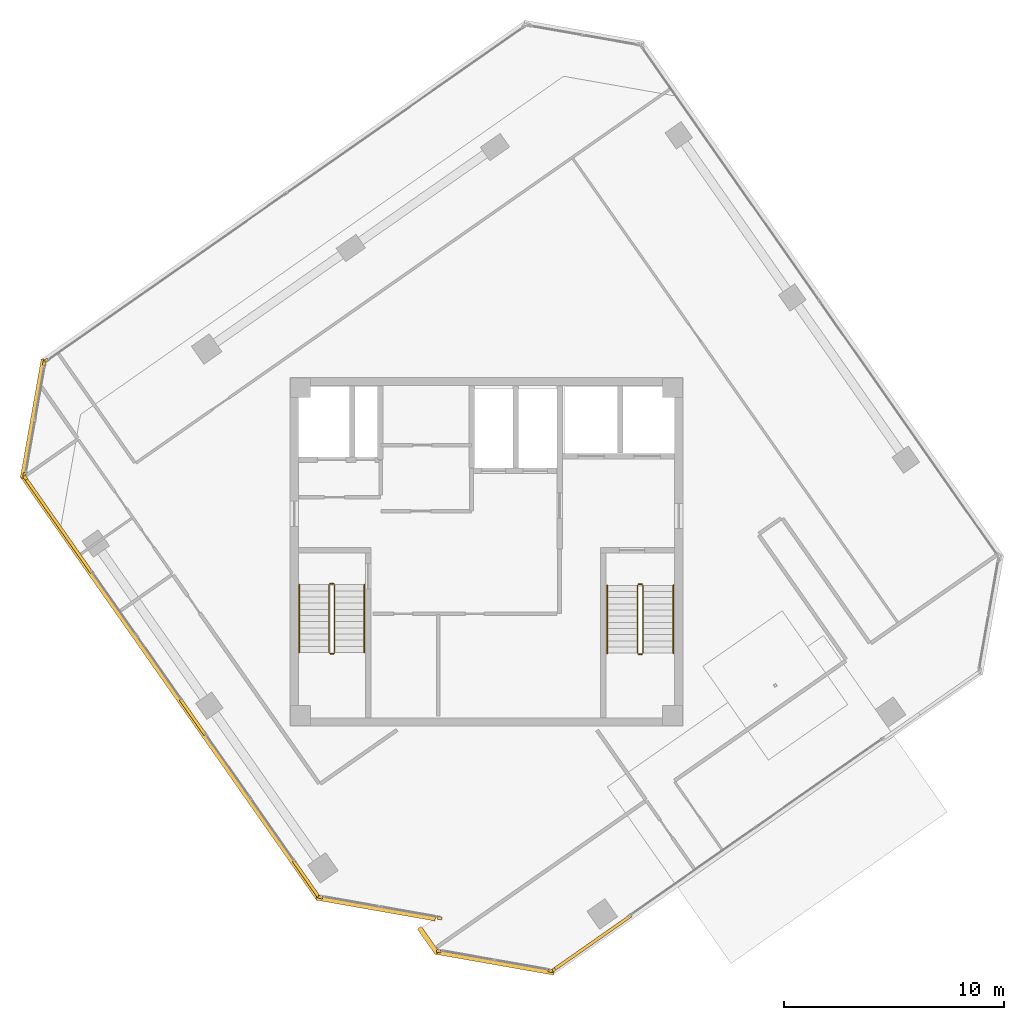
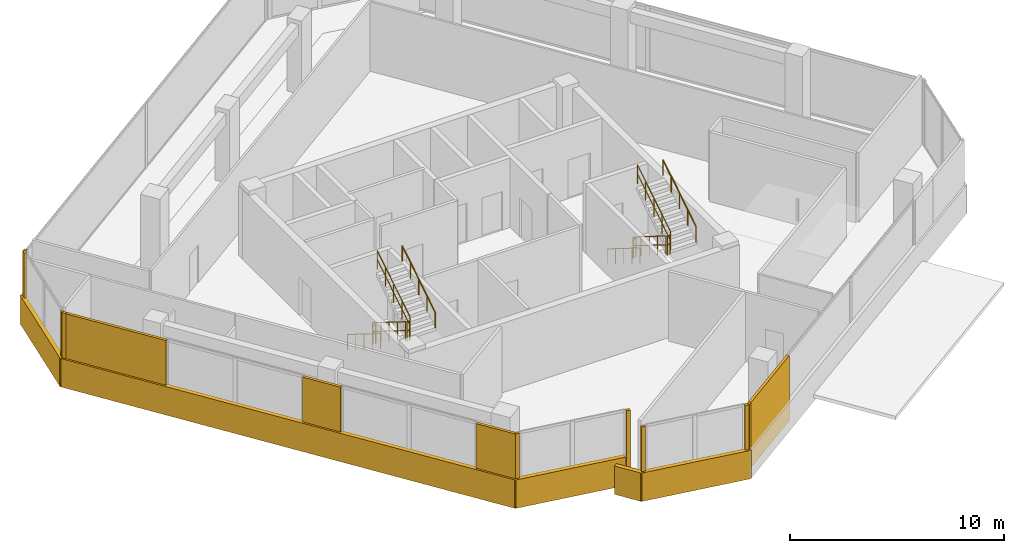
# One storey, part 15 of 17: 18 coverings, 12 railings.
"""IFC4 building model written with IfcOpenShell, lengths in metres."""

from ifc_helpers import new_model, si_unit, direction, frame, origin, origin_2d, place, context, subcontext, project, spatial, rectangle, circle, extrude, source, transform, mapped, material, layer, layer_set, type_object, element, save


model = new_model("IFC4")

# Units and contexts
model_context = context("Model", 3, precision=1e-05, world=origin(), true_north=direction((0.0, 1.0)))
body_context = subcontext(model_context, "Body", "Model", "MODEL_VIEW")
ifc_project = project(units=[si_unit("LENGTHUNIT", "METRE"), si_unit("AREAUNIT", "SQUARE_METRE"), si_unit("VOLUMEUNIT", "CUBIC_METRE"), si_unit("PLANEANGLEUNIT", "RADIAN"), si_unit("MASSUNIT", "GRAM", prefix="KILO")], contexts=[model_context])

# Site, building, storey
site_placement = place(None, origin())
site = spatial("IfcSite", under=ifc_project, at=site_placement, CompositionType="ELEMENT")
building_placement = place(site_placement, origin())
building = spatial("IfcBuilding", under=site, at=building_placement, Name="Torre Montelarca", CompositionType="ELEMENT")
storey_placement = place(building_placement, frame((0.0, 0.0, 298.800048828125)))
storey = spatial("IfcBuildingStorey", under=building, at=storey_placement, Name="L67", CompositionType="ELEMENT", Elevation=298.800048828125)

# Railings
ifc_material_1 = material(Name="Powder-coated steel ASTM A500 Grade C", Category="steel")
railing_type_1 = type_object("IfcRailingType", Name="RL-GUARD-1100", PredefinedType="BALUSTRADE", material=ifc_material_1)
railing_1_placement = place(storey_placement, frame((10.85009765625, 30.5, 0.175048828125)))
element("IfcRailing", 1, at=railing_1_placement, inside=storey, type_object=railing_type_1, Name="L67 ST1 stair guard 1", PredefinedType="BALUSTRADE", context=body_context, shape_type="SweptSolid", body=[
    extrude(circle(Radius=0.02392578125, at=origin_2d()), frame((0.0, 0.0, 1.076171875), z_axis=(0.0, -0.848028513186, 0.529950602248), x_axis=(1.0, 0.0, 0.0)), (0.0, 0.0, 1.0), 3.632080078125),
    extrude(circle(Radius=0.02099609375, at=origin_2d()), frame((0.0, 0.0, 0.572021484375), z_axis=(0.0, -0.848028513186, 0.529950602248), x_axis=(1.0, 0.0, 0.0)), (0.0, 0.0, 1.0), 3.632080078125),
    extrude(circle(Radius=0.02099609375, at=origin_2d()), origin(), (0.0, 0.0, 1.0), 1.052001953125),
    extrude(circle(Radius=0.02099609375, at=origin_2d()), frame((0.0, -0.77001953125, 0.481201171875)), (0.0, 0.0, 1.0), 1.052001953125),
    extrude(circle(Radius=0.02099609375, at=origin_2d()), frame((0.0, -1.5400390625, 0.96240234375)), (0.0, 0.0, 1.0), 1.052001953125),
    extrude(circle(Radius=0.02099609375, at=origin_2d()), frame((0.0, -2.31005859375, 1.443603515625)), (0.0, 0.0, 1.0), 1.052001953125),
    extrude(circle(Radius=0.02099609375, at=origin_2d()), frame((0.0, -3.080078125, 1.9248046875)), (0.0, 0.0, 1.0), 1.052001953125),
])
railing_2_placement = place(storey_placement, frame((10.89990234375, 27.3701171875, 2.099853515625)))
element("IfcRailing", 2, at=railing_2_placement, inside=storey, type_object=railing_type_1, Name="L67 ST1 stair guard 2", PredefinedType="BALUSTRADE", context=body_context, shape_type="SweptSolid", body=[
    extrude(circle(Radius=0.02392578125, at=origin_2d()), frame((0.0, 0.0, 1.076171875), z_axis=(1.0, 0.0, 0.0), x_axis=(0.0, 1.0, 0.0)), (0.0, 0.0, 1.0), 0.150146484375),
    extrude(circle(Radius=0.02099609375, at=origin_2d()), frame((0.0, 0.0, 0.572021484375), z_axis=(1.0, 0.0, 0.0), x_axis=(0.0, 1.0, 0.0)), (0.0, 0.0, 1.0), 0.150146484375),
    extrude(circle(Radius=0.02099609375, at=origin_2d()), origin(), (0.0, 0.0, 1.0), 1.052001953125),
    extrude(circle(Radius=0.02099609375, at=origin_2d()), frame((0.150146484375, 0.0, 0.0)), (0.0, 0.0, 1.0), 1.052001953125),
])
railing_3_placement = place(storey_placement, frame((11.10009765625, 27.419921875, 2.27490234375)))
element("IfcRailing", 3, at=railing_3_placement, inside=storey, type_object=railing_type_1, Name="L67 ST1 stair guard 3", PredefinedType="BALUSTRADE", context=body_context, shape_type="SweptSolid", body=[
    extrude(circle(Radius=0.02392578125, at=origin_2d()), frame((0.0, 0.0, 1.076171875), z_axis=(0.0, 0.847998304005, 0.529998940003), x_axis=(-1.0, 0.0, 0.0)), (0.0, 0.0, 1.0), 3.632080078125),
    extrude(circle(Radius=0.02099609375, at=origin_2d()), frame((0.0, 0.0, 0.572021484375), z_axis=(0.0, 0.847998304005, 0.529998940003), x_axis=(-1.0, 0.0, 0.0)), (0.0, 0.0, 1.0), 3.632080078125),
    extrude(circle(Radius=0.02099609375, at=origin_2d()), origin(), (0.0, 0.0, 1.0), 1.052001953125),
    extrude(circle(Radius=0.02099609375, at=origin_2d()), frame((0.0, 0.77001953125, 0.481201171875)), (0.0, 0.0, 1.0), 1.052001953125),
    extrude(circle(Radius=0.02099609375, at=origin_2d()), frame((0.0, 1.5400390625, 0.96240234375)), (0.0, 0.0, 1.0), 1.052001953125),
    extrude(circle(Radius=0.02099609375, at=origin_2d()), frame((0.0, 2.31005859375, 1.44384765625)), (0.0, 0.0, 1.0), 1.052001953125),
    extrude(circle(Radius=0.02099609375, at=origin_2d()), frame((0.0, 3.080078125, 1.925048828125)), (0.0, 0.0, 1.0), 1.052001953125),
])
railing_4_placement = place(storey_placement, frame((10.89990234375, 30.550048828125, 0.0)))
element("IfcRailing", 4, at=railing_4_placement, inside=storey, type_object=railing_type_1, Name="L67 ST1 stair guard 4", PredefinedType="BALUSTRADE", context=body_context, shape_type="SweptSolid", body=[
    extrude(circle(Radius=0.02392578125, at=origin_2d()), frame((0.0, 0.0, 1.076171875), z_axis=(1.0, 0.0, 0.0), x_axis=(0.0, 1.0, 0.0)), (0.0, 0.0, 1.0), 0.150146484375),
    extrude(circle(Radius=0.02099609375, at=origin_2d()), frame((0.0, 0.0, 0.572021484375), z_axis=(1.0, 0.0, 0.0), x_axis=(0.0, 1.0, 0.0)), (0.0, 0.0, 1.0), 0.150146484375),
    extrude(circle(Radius=0.02099609375, at=origin_2d()), origin(), (0.0, 0.0, 1.0), 1.052001953125),
    extrude(circle(Radius=0.02099609375, at=origin_2d()), frame((0.150146484375, 0.0, 0.0)), (0.0, 0.0, 1.0), 1.052001953125),
])
railing_5_placement = place(storey_placement, frame((24.8701171875, 30.469970703125, 0.175048828125)))
element("IfcRailing", 5, at=railing_5_placement, inside=storey, type_object=railing_type_1, Name="L67 ST2 stair guard 1", PredefinedType="BALUSTRADE", context=body_context, shape_type="SweptSolid", body=[
    extrude(circle(Radius=0.02392578125, at=origin_2d()), frame((0.0, 0.0, 1.076171875), z_axis=(0.0, -0.848028513186, 0.529950602248), x_axis=(1.0, 0.0, 0.0)), (0.0, 0.0, 1.0), 3.632080078125),
    extrude(circle(Radius=0.02099609375, at=origin_2d()), frame((0.0, 0.0, 0.572021484375), z_axis=(0.0, -0.848028513186, 0.529950602248), x_axis=(1.0, 0.0, 0.0)), (0.0, 0.0, 1.0), 3.632080078125),
    extrude(circle(Radius=0.02099609375, at=origin_2d()), origin(), (0.0, 0.0, 1.0), 1.052001953125),
    extrude(circle(Radius=0.02099609375, at=origin_2d()), frame((0.0, -0.77001953125, 0.481201171875)), (0.0, 0.0, 1.0), 1.052001953125),
    extrude(circle(Radius=0.02099609375, at=origin_2d()), frame((0.0, -1.5400390625, 0.96240234375)), (0.0, 0.0, 1.0), 1.052001953125),
    extrude(circle(Radius=0.02099609375, at=origin_2d()), frame((0.0, -2.31005859375, 1.443603515625)), (0.0, 0.0, 1.0), 1.052001953125),
    extrude(circle(Radius=0.02099609375, at=origin_2d()), frame((0.0, -3.080078125, 1.9248046875)), (0.0, 0.0, 1.0), 1.052001953125),
])
railing_6_placement = place(storey_placement, frame((24.919921875, 27.340087890625, 2.099853515625)))
element("IfcRailing", 6, at=railing_6_placement, inside=storey, type_object=railing_type_1, Name="L67 ST2 stair guard 2", PredefinedType="BALUSTRADE", context=body_context, shape_type="SweptSolid", body=[
    extrude(circle(Radius=0.02392578125, at=origin_2d()), frame((0.0, 0.0, 1.076171875), z_axis=(1.0, 0.0, 0.0), x_axis=(0.0, 1.0, 0.0)), (0.0, 0.0, 1.0), 0.150146484375),
    extrude(circle(Radius=0.02099609375, at=origin_2d()), frame((0.0, 0.0, 0.572021484375), z_axis=(1.0, 0.0, 0.0), x_axis=(0.0, 1.0, 0.0)), (0.0, 0.0, 1.0), 0.150146484375),
    extrude(circle(Radius=0.02099609375, at=origin_2d()), origin(), (0.0, 0.0, 1.0), 1.052001953125),
    extrude(circle(Radius=0.02099609375, at=origin_2d()), frame((0.150146484375, 0.0, 0.0)), (0.0, 0.0, 1.0), 1.052001953125),
])
railing_7_placement = place(storey_placement, frame((25.1201171875, 27.389892578125, 2.27490234375)))
element("IfcRailing", 7, at=railing_7_placement, inside=storey, type_object=railing_type_1, Name="L67 ST2 stair guard 3", PredefinedType="BALUSTRADE", context=body_context, shape_type="SweptSolid", body=[
    extrude(circle(Radius=0.02392578125, at=origin_2d()), frame((0.0, 0.0, 1.076171875), z_axis=(0.0, 0.847998304005, 0.529998940003), x_axis=(-1.0, 0.0, 0.0)), (0.0, 0.0, 1.0), 3.632080078125),
    extrude(circle(Radius=0.02099609375, at=origin_2d()), frame((0.0, 0.0, 0.572021484375), z_axis=(0.0, 0.847998304005, 0.529998940003), x_axis=(-1.0, 0.0, 0.0)), (0.0, 0.0, 1.0), 3.632080078125),
    extrude(circle(Radius=0.02099609375, at=origin_2d()), origin(), (0.0, 0.0, 1.0), 1.052001953125),
    extrude(circle(Radius=0.02099609375, at=origin_2d()), frame((0.0, 0.77001953125, 0.481201171875)), (0.0, 0.0, 1.0), 1.052001953125),
    extrude(circle(Radius=0.02099609375, at=origin_2d()), frame((0.0, 1.5400390625, 0.96240234375)), (0.0, 0.0, 1.0), 1.052001953125),
    extrude(circle(Radius=0.02099609375, at=origin_2d()), frame((0.0, 2.31005859375, 1.44384765625)), (0.0, 0.0, 1.0), 1.052001953125),
    extrude(circle(Radius=0.02099609375, at=origin_2d()), frame((0.0, 3.080078125, 1.925048828125)), (0.0, 0.0, 1.0), 1.052001953125),
])
railing_8_placement = place(storey_placement, frame((24.919921875, 30.52001953125, 0.0)))
element("IfcRailing", 8, at=railing_8_placement, inside=storey, type_object=railing_type_1, Name="L67 ST2 stair guard 4", PredefinedType="BALUSTRADE", context=body_context, shape_type="SweptSolid", body=[
    extrude(circle(Radius=0.02392578125, at=origin_2d()), frame((0.0, 0.0, 1.076171875), z_axis=(1.0, 0.0, 0.0), x_axis=(0.0, 1.0, 0.0)), (0.0, 0.0, 1.0), 0.150146484375),
    extrude(circle(Radius=0.02099609375, at=origin_2d()), frame((0.0, 0.0, 0.572021484375), z_axis=(1.0, 0.0, 0.0), x_axis=(0.0, 1.0, 0.0)), (0.0, 0.0, 1.0), 0.150146484375),
    extrude(circle(Radius=0.02099609375, at=origin_2d()), origin(), (0.0, 0.0, 1.0), 1.052001953125),
    extrude(circle(Radius=0.02099609375, at=origin_2d()), frame((0.150146484375, 0.0, 0.0)), (0.0, 0.0, 1.0), 1.052001953125),
])
ifc_material_2 = material(Name="Brushed stainless steel AISI 316", Category="steel")
railing_type_2 = type_object("IfcRailingType", Name="RL-HANDRAIL-900", PredefinedType="HANDRAIL", material=ifc_material_2)
railing_9_placement = place(storey_placement, frame((9.5, 30.5, 0.175048828125)))
element("IfcRailing", 9, at=railing_9_placement, inside=storey, type_object=railing_type_2, Name="L67 ST1 stair handrail 1", PredefinedType="HANDRAIL", context=body_context, shape_type="SweptSolid", body=[
    extrude(circle(Radius=0.02392578125, at=origin_2d()), frame((0.0, 0.0, 0.8759765625), z_axis=(0.0, -0.848028513186, 0.529950602248), x_axis=(1.0, 0.0, 0.0)), (0.0, 0.0, 1.0), 3.632080078125),
    extrude(circle(Radius=0.02099609375, at=origin_2d()), origin(), (0.0, 0.0, 1.0), 0.851806640625),
    extrude(circle(Radius=0.02099609375, at=origin_2d()), frame((0.0, -0.77001953125, 0.481201171875)), (0.0, 0.0, 1.0), 0.851806640625),
    extrude(circle(Radius=0.02099609375, at=origin_2d()), frame((0.0, -1.5400390625, 0.96240234375)), (0.0, 0.0, 1.0), 0.851806640625),
    extrude(circle(Radius=0.02099609375, at=origin_2d()), frame((0.0, -2.31005859375, 1.443603515625)), (0.0, 0.0, 1.0), 0.851806640625),
    extrude(circle(Radius=0.02099609375, at=origin_2d()), frame((0.0, -3.080078125, 1.9248046875)), (0.0, 0.0, 1.0), 0.851806640625),
])
railing_10_placement = place(storey_placement, frame((12.449951171875, 27.419921875, 2.27490234375)))
element("IfcRailing", 10, at=railing_10_placement, inside=storey, type_object=railing_type_2, Name="L67 ST1 stair handrail 2", PredefinedType="HANDRAIL", context=body_context, shape_type="SweptSolid", body=[
    extrude(circle(Radius=0.02392578125, at=origin_2d()), frame((0.0, 0.0, 0.8759765625), z_axis=(0.0, 0.847998304005, 0.529998940003), x_axis=(-1.0, 0.0, 0.0)), (0.0, 0.0, 1.0), 3.632080078125),
    extrude(circle(Radius=0.02099609375, at=origin_2d()), origin(), (0.0, 0.0, 1.0), 0.851806640625),
    extrude(circle(Radius=0.02099609375, at=origin_2d()), frame((0.0, 0.77001953125, 0.481201171875)), (0.0, 0.0, 1.0), 0.851806640625),
    extrude(circle(Radius=0.02099609375, at=origin_2d()), frame((0.0, 1.5400390625, 0.96240234375)), (0.0, 0.0, 1.0), 0.851806640625),
    extrude(circle(Radius=0.02099609375, at=origin_2d()), frame((0.0, 2.31005859375, 1.44384765625)), (0.0, 0.0, 1.0), 0.851806640625),
    extrude(circle(Radius=0.02099609375, at=origin_2d()), frame((0.0, 3.080078125, 1.925048828125)), (0.0, 0.0, 1.0), 0.851806640625),
])
railing_11_placement = place(storey_placement, frame((23.489990234375, 30.469970703125, 0.175048828125)))
element("IfcRailing", 11, at=railing_11_placement, inside=storey, type_object=railing_type_2, Name="L67 ST2 stair handrail 1", PredefinedType="HANDRAIL", context=body_context, shape_type="SweptSolid", body=[
    extrude(circle(Radius=0.02392578125, at=origin_2d()), frame((0.0, 0.0, 0.8759765625), z_axis=(0.0, -0.848028513186, 0.529950602248), x_axis=(1.0, 0.0, 0.0)), (0.0, 0.0, 1.0), 3.632080078125),
    extrude(circle(Radius=0.02099609375, at=origin_2d()), origin(), (0.0, 0.0, 1.0), 0.851806640625),
    extrude(circle(Radius=0.02099609375, at=origin_2d()), frame((0.0, -0.77001953125, 0.481201171875)), (0.0, 0.0, 1.0), 0.851806640625),
    extrude(circle(Radius=0.02099609375, at=origin_2d()), frame((0.0, -1.5400390625, 0.96240234375)), (0.0, 0.0, 1.0), 0.851806640625),
    extrude(circle(Radius=0.02099609375, at=origin_2d()), frame((0.0, -2.31005859375, 1.443603515625)), (0.0, 0.0, 1.0), 0.851806640625),
    extrude(circle(Radius=0.02099609375, at=origin_2d()), frame((0.0, -3.080078125, 1.9248046875)), (0.0, 0.0, 1.0), 0.851806640625),
])
railing_12_placement = place(storey_placement, frame((26.5, 27.389892578125, 2.27490234375)))
element("IfcRailing", 12, at=railing_12_placement, inside=storey, type_object=railing_type_2, Name="L67 ST2 stair handrail 2", PredefinedType="HANDRAIL", context=body_context, shape_type="SweptSolid", body=[
    extrude(circle(Radius=0.02392578125, at=origin_2d()), frame((0.0, 0.0, 0.8759765625), z_axis=(0.0, 0.847998304005, 0.529998940003), x_axis=(-1.0, 0.0, 0.0)), (0.0, 0.0, 1.0), 3.632080078125),
    extrude(circle(Radius=0.02099609375, at=origin_2d()), origin(), (0.0, 0.0, 1.0), 0.851806640625),
    extrude(circle(Radius=0.02099609375, at=origin_2d()), frame((0.0, 0.77001953125, 0.481201171875)), (0.0, 0.0, 1.0), 0.851806640625),
    extrude(circle(Radius=0.02099609375, at=origin_2d()), frame((0.0, 1.5400390625, 0.96240234375)), (0.0, 0.0, 1.0), 0.851806640625),
    extrude(circle(Radius=0.02099609375, at=origin_2d()), frame((0.0, 2.31005859375, 1.44384765625)), (0.0, 0.0, 1.0), 0.851806640625),
    extrude(circle(Radius=0.02099609375, at=origin_2d()), frame((0.0, 3.080078125, 1.925048828125)), (0.0, 0.0, 1.0), 0.851806640625),
])

# Coverings
ifc_material_3 = material(Name="Bush-hammered warm white precast concrete C45/55", Category="concrete")
ifc_layer = layer(ifc_material_3, 0.139892578125, Name="Bush-hammered warm white precast concrete C45/55", Category="concrete")
ifc_layer_set = layer_set([ifc_layer], Name="Bush-hammered warm white precast concrete C45/55")
covering_type = type_object("IfcCoveringType", Name="COV-TRAY-CLAD", PredefinedType="CLADDING", material=ifc_layer_set)
shared_shape_1 = source(origin(), body_context, "Body", "SweptSolid", [
    extrude(rectangle(XDim=0.199951171875, YDim=0.139892578125, at=origin_2d()), origin(), (0.0, 0.0, 1.0), 3.719970703125),
])
for number, where, z_axis, x_axis, name in (
    (13, (-2.9619140625, 35.361328125, 0.0), (0.0, 0.0, 1.0), (0.573572147273, -0.819155047517, 0.0), "L67 Architectural Column Pier Cladding E01-1"),
    (14, (10.449462890625, 16.304931640625, 0.0), (0.0, 0.0, 1.0), (0.984806843779, -0.173653334106, 0.0), "L67 Architectural Column Pier Cladding E02-1"),
    (15, (15.875732421875, 15.34814453125, 0.0), (0.0, 0.0, 1.0), (0.984806843779, -0.173653334106, 0.0), "L67 Architectural Column Pier Cladding E02-2"),
    (16, (15.83203125, 13.847900390625, 0.0), (0.0, 0.0, 1.0), (0.984808056084, -0.173646458853, 0.0), "L67 Architectural Column Pier Cladding E05-1"),
    (17, (20.896240234375, 12.955078125, 0.0), (0.0, 0.0, 1.0), (0.984808056084, -0.173646458853, 0.0), "L67 Architectural Column Pier Cladding E05-2"),
    (18, (21.037841796875, 12.986572265625, 0.0), (0.0, 0.0, 1.0), (0.819156048588, 0.573570717577, 0.0), "L67 Architectural Column Pier Cladding E06-1"),
    (19, (-2.022216796875, 40.689697265625, 0.0), (0.0, 0.0, 1.0), (-0.819153045367, -0.57357500666, 0.0), "L67 Architectural Column Pier Cladding E10-2"),
    (20, (-2.100341796875, 40.567138671875, 0.0), (0.0, 0.0, 1.0), (-0.173646458853, -0.984808056084, 0.0), "L67 Architectural Column Pier Cladding E11-1"),
    (21, (-2.9931640625, 35.503173828125, 0.0), (0.0, 0.0, 1.0), (-0.173646458853, -0.984808056084, 0.0), "L67 Architectural Column Pier Cladding E11-2"),
):
    element("IfcCovering", number, at=place(storey_placement, frame(where, z_axis=z_axis, x_axis=x_axis)), inside=storey, type_object=covering_type, Name=name, PredefinedType="CLADDING", context=body_context, shape_type="MappedRepresentation", body=[
        mapped(shared_shape_1, transform((0.0, 0.0, 0.0), scale=1.0)),
    ])
shared_shape_2 = source(origin(), body_context, "Body", "SweptSolid", [
    extrude(rectangle(XDim=2.01416015625, YDim=0.139892578125, at=origin_2d()), origin(), (0.0, 0.0, 1.0), 3.719970703125),
])
covering_1_placement = place(storey_placement, frame((9.806640625, 17.1259765625, 0.0), z_axis=(0.0, 0.0, 1.0), x_axis=(0.573572147273, -0.819155047517, 0.0)))
element("IfcCovering", 22, at=covering_1_placement, inside=storey, type_object=covering_type, Name="L67 Architectural Column Pier Cladding E01-4", PredefinedType="CLADDING", context=body_context, shape_type="MappedRepresentation", body=[
    mapped(shared_shape_2, transform((0.0, 0.0, 0.0), scale=1.0)),
])
shared_shape_3 = source(origin(), body_context, "Body", "SweptSolid", [
    extrude(rectangle(XDim=1.9599609375, YDim=0.139892578125, at=origin_2d()), origin(), (0.0, 0.0, 1.0), 3.719970703125),
])
covering_2_placement = place(storey_placement, frame((4.65771484375, 24.4794921875, 0.0), z_axis=(0.0, 0.0, 1.0), x_axis=(0.573572147273, -0.819155047517, 0.0)))
element("IfcCovering", 23, at=covering_2_placement, inside=storey, type_object=covering_type, Name="L67 Architectural Column Pier Cladding E01-3", PredefinedType="CLADDING", context=body_context, shape_type="MappedRepresentation", body=[
    mapped(shared_shape_3, transform((0.0, 0.0, 0.0), scale=1.0)),
])
shared_shape_4 = source(origin(), body_context, "Body", "SweptSolid", [
    extrude(rectangle(XDim=23.52001953125, YDim=0.219970703125, at=origin_2d()), origin(), (0.0, 0.0, 1.0), 1.6201171875),
])
covering_3_placement = place(storey_placement, frame((3.63330078125, 25.837646484375, -0.4501953125), z_axis=(0.0, 0.0, 1.0), x_axis=(0.573576436351, -0.819152044289, 0.0)))
element("IfcCovering", 24, at=covering_3_placement, inside=storey, type_object=covering_type, Name="L67 Architectural White Spandrel Tray Band TRYBOT-01", PredefinedType="CLADDING", context=body_context, shape_type="MappedRepresentation", body=[
    mapped(shared_shape_4, transform((0.0, 0.0, 0.0), scale=1.0)),
])
shared_shape_5 = source(origin(), body_context, "Body", "SweptSolid", [
    extrude(rectangle(XDim=5.493896484375, YDim=0.219970703125, at=origin_2d()), origin(), (0.0, 0.0, 1.0), 1.6201171875),
])
for number, where, z_axis, x_axis, name in (
    (25, (12.97119140625, 15.79931640625, -0.4501953125), (0.0, 0.0, 1.0), (0.984806843779, -0.173653334106, 0.0), "L67 Architectural White Spandrel Tray Band TRYBOT-02"),
    (26, (18.353759765625, 13.34228515625, -0.4501953125), (0.0, 0.0, 1.0), (0.984806843779, -0.173653334106, 0.0), "L67 Architectural White Spandrel Tray Band TRYBOT-05"),
    (27, (-2.60595703125, 38.04541015625, -0.4501953125), (0.0, 0.0, 1.0), (-0.173653334106, -0.984806843779, 0.0), "L67 Architectural White Spandrel Tray Band TRYBOT-11"),
):
    element("IfcCovering", number, at=place(storey_placement, frame(where, z_axis=z_axis, x_axis=x_axis)), inside=storey, type_object=covering_type, Name=name, PredefinedType="CLADDING", context=body_context, shape_type="MappedRepresentation", body=[
        mapped(shared_shape_5, transform((0.0, 0.0, 0.0), scale=1.0)),
    ])
shared_shape_6 = source(origin(), body_context, "Body", "SweptSolid", [
    extrude(rectangle(XDim=1.419921875, YDim=0.219970703125, at=origin_2d()), origin(), (0.0, 0.0, 1.0), 1.6201171875),
])
covering_4_placement = place(storey_placement, frame((15.35400390625, 14.3291015625, -0.4501953125), z_axis=(0.0, 0.0, 1.0), x_axis=(0.573602170488, -0.81913402445, 0.0)))
element("IfcCovering", 28, at=covering_4_placement, inside=storey, type_object=covering_type, Name="L67 Architectural White Spandrel Tray Band TRYBOT-04", PredefinedType="CLADDING", context=body_context, shape_type="MappedRepresentation", body=[
    mapped(shared_shape_6, transform((0.0, 0.0, 0.0), scale=1.0)),
])
shared_shape_7 = source(origin(), body_context, "Body", "SweptSolid", [
    extrude(rectangle(XDim=5.26416015625, YDim=0.139892578125, at=origin_2d()), origin(), (0.0, 0.0, 1.0), 3.719970703125),
])
covering_5_placement = place(storey_placement, frame((-1.4521484375, 33.205322265625, 0.0), z_axis=(0.0, 0.0, 1.0), x_axis=(0.573572147273, -0.819155047517, 0.0)))
element("IfcCovering", 29, at=covering_5_placement, inside=storey, type_object=covering_type, Name="L67 Architectural Column Pier Cladding E01-2", PredefinedType="CLADDING", context=body_context, shape_type="MappedRepresentation", body=[
    mapped(shared_shape_7, transform((0.0, 0.0, 0.0), scale=1.0)),
])
shared_shape_8 = source(origin(), body_context, "Body", "SweptSolid", [
    extrude(rectangle(XDim=4.314208984375, YDim=0.139892578125, at=origin_2d()), origin(), (0.0, 0.0, 1.0), 3.719970703125),
])
covering_6_placement = place(storey_placement, frame((22.804931640625, 14.223876953125, 0.0), z_axis=(0.0, 0.0, 1.0), x_axis=(0.819156048588, 0.573570717577, 0.0)))
element("IfcCovering", 30, at=covering_6_placement, inside=storey, type_object=covering_type, Name="L67 Architectural Column Pier Cladding E06-2", PredefinedType="CLADDING", context=body_context, shape_type="MappedRepresentation", body=[
    mapped(shared_shape_8, transform((0.0, 0.0, 0.0), scale=1.0)),
])

save(model, "model.ifc")
